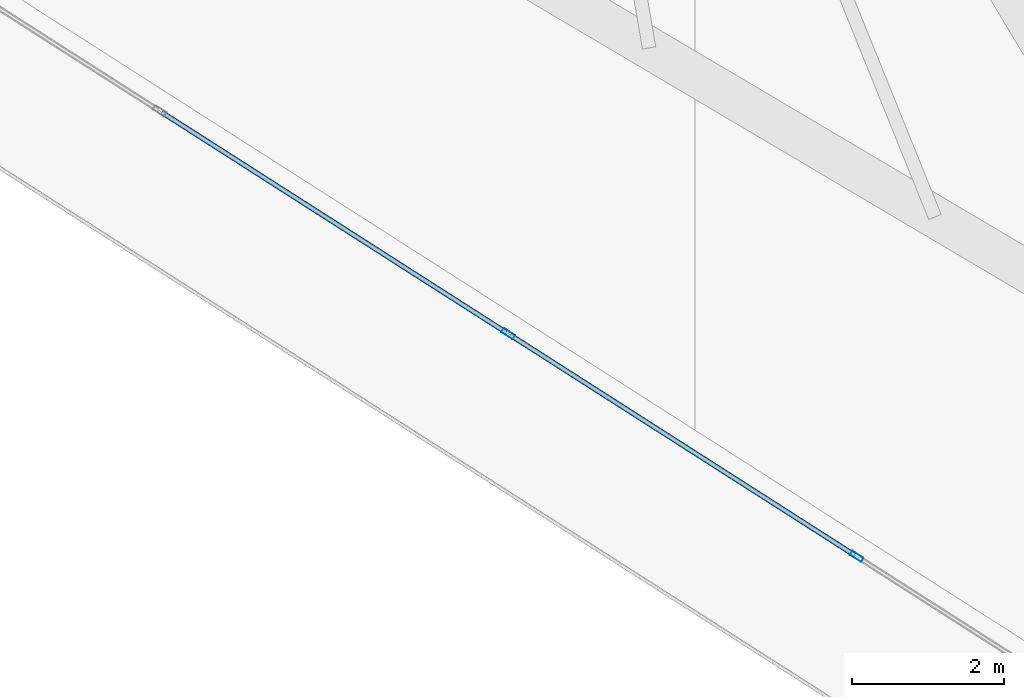
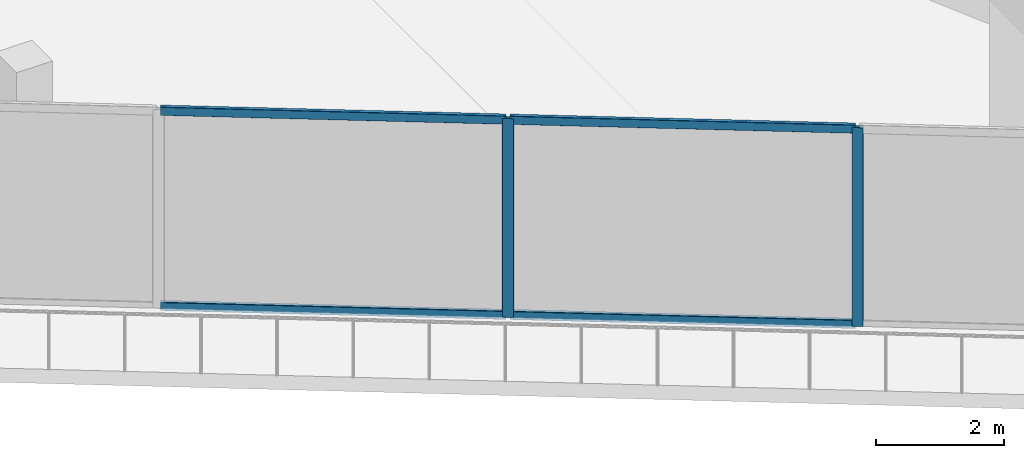
# One storey, part 7 of 38: 6 members, 1 element without a shape of its own.
"""IFC4 building model written with IfcOpenShell, lengths in metres."""

from ifc_helpers import new_model, si_unit, direction, frame, origin, origin_2d, place, context, subcontext, project, spatial, hollow_rectangle, extrude, material, layer, layer_set, material_profile, profile_set, type_object, element, aggregate, save


model = new_model("IFC4")

# Units and contexts
model_context = context("Model", 3, precision=1e-05, world=origin(), true_north=direction((0.0, 1.0)))
body_context = subcontext(model_context, "Body", "Model", "MODEL_VIEW")
ifc_project = project(units=[si_unit("LENGTHUNIT", "METRE"), si_unit("AREAUNIT", "SQUARE_METRE"), si_unit("VOLUMEUNIT", "CUBIC_METRE"), si_unit("PLANEANGLEUNIT", "RADIAN"), si_unit("MASSUNIT", "GRAM", prefix="KILO")], contexts=[model_context])

# Site, building, storey
site_placement = place(None, origin())
site = spatial("IfcSite", under=ifc_project, at=site_placement, CompositionType="ELEMENT")
building_placement = place(site_placement, origin())
building = spatial("IfcBuilding", under=site, at=building_placement, Name="Qorvath Tower", CompositionType="ELEMENT")
storey_placement = place(building_placement, frame((0.0, 0.0, 134.10009765625)))
storey = spatial("IfcBuildingStorey", under=building, at=storey_placement, Name="L30", CompositionType="ELEMENT", Elevation=134.10009765625)

# Curtain wall, members
ifc_material_1 = material(Name="Anodised aluminium and triple low-E glass", Category="aluminium")
ifc_layer = layer(ifc_material_1, 0.179931640625)
ifc_layer_set = layer_set([ifc_layer], Name="CW-SYS-3")
curtain_wall_type = type_object("IfcCurtainWallType", Name="CW-SYS-3", PredefinedType="NOTDEFINED", material=ifc_layer_set)
curtain_wall_placement = place(storey_placement, origin())
curtain_wall = element("IfcCurtainWall", 1, at=curtain_wall_placement, inside=storey, type_object=curtain_wall_type, Name="Curtain Wall CW-3 CW-T-L30-2.1", PredefinedType="NOTDEFINED")
ifc_material_2 = material(Name="Anodised aluminium 6063-T6", Category="aluminium")
ifc_material_profile_1 = material_profile(ifc_material_2, hollow_rectangle(XDim=0.06494140625, YDim=0.179931640625, WallThickness=0.00341796875, InnerFilletRadius=0.00341796875, OuterFilletRadius=0.007080078125, at=origin_2d()), Name="CWM 180x65")
ifc_profile_set_1 = profile_set([ifc_material_profile_1], Name="Anodised aluminium 6063-T6")
member_type_1 = type_object("IfcMemberType", Name="CWM-180", PredefinedType="MULLION", material=ifc_profile_set_1)
member_1_placement = place(storey_placement, frame((-25.12109375, -24.333740234375, 0.0), z_axis=(0.0, 0.0, 1.0), x_axis=(0.538534399095, 0.842603525385, 0.0)))
member_1 = element("IfcMember", 2, at=member_1_placement, type_object=member_type_1, Name="CW-3 mullion 8", PredefinedType="MULLION", context=body_context, shape_type="SweptSolid", body=[
    extrude(hollow_rectangle(XDim=0.06494140625, YDim=0.179931640625, WallThickness=0.00341796875, InnerFilletRadius=0.00341796875, OuterFilletRadius=0.007080078125, at=origin_2d()), origin(), (0.0, 0.0, 1.0), 3.77978515625),
])
member_2_placement = place(storey_placement, frame((-20.52587890625, -27.270751953125, 0.0), z_axis=(0.0, 0.0, 1.0), x_axis=(0.538534399095, 0.842603525385, 0.0)))
member_2 = element("IfcMember", 3, at=member_2_placement, type_object=member_type_1, Name="CW-3 mullion 9", PredefinedType="MULLION", context=body_context, shape_type="SweptSolid", body=[
    extrude(hollow_rectangle(XDim=0.06494140625, YDim=0.179931640625, WallThickness=0.00341796875, InnerFilletRadius=0.00341796875, OuterFilletRadius=0.007080078125, at=origin_2d()), origin(), (0.0, 0.0, 1.0), 3.77978515625),
])
ifc_material_3 = material(Name="Anodised aluminium 6063-T6", Category="aluminium")
ifc_material_profile_2 = material_profile(ifc_material_3, hollow_rectangle(XDim=0.06494140625, YDim=0.159912109375, WallThickness=0.00341796875, InnerFilletRadius=0.00341796875, OuterFilletRadius=0.007080078125, at=origin_2d()), Name="CWT 160x65")
ifc_profile_set_2 = profile_set([ifc_material_profile_2], Name="Anodised aluminium 6063-T6")
member_type_2 = type_object("IfcMemberType", Name="CWT-160", PredefinedType="USERDEFINED", material=ifc_profile_set_2)
member_3_placement = place(storey_placement, frame((-29.688720703125, -21.41455078125, 0.032470703125), z_axis=(0.842602030071, -0.538536738691, 0.0), x_axis=(0.538536738691, 0.842602030071, 0.0)))
member_3 = element("IfcMember", 4, at=member_3_placement, type_object=member_type_2, Name="CW-3 transom 7.1", ObjectType="TRANSOM", PredefinedType="USERDEFINED", context=body_context, shape_type="SweptSolid", body=[
    extrude(hollow_rectangle(XDim=0.06494140625, YDim=0.159912109375, WallThickness=0.00341796875, InnerFilletRadius=0.00341796875, OuterFilletRadius=0.007080078125, at=origin_2d()), origin(), (0.0, 0.0, 1.0), 5.388427734375),
])
member_4_placement = place(storey_placement, frame((-29.688720703125, -21.41455078125, 3.747314453125), z_axis=(0.842602030071, -0.538536738691, 0.0), x_axis=(0.538536738691, 0.842602030071, 0.0)))
member_4 = element("IfcMember", 5, at=member_4_placement, type_object=member_type_2, Name="CW-3 transom 7.2", ObjectType="TRANSOM", PredefinedType="USERDEFINED", context=body_context, shape_type="SweptSolid", body=[
    extrude(hollow_rectangle(XDim=0.06494140625, YDim=0.159912109375, WallThickness=0.00341796875, InnerFilletRadius=0.00341796875, OuterFilletRadius=0.007080078125, at=origin_2d()), origin(), (0.0, 0.0, 1.0), 5.388427734375),
])
member_5_placement = place(storey_placement, frame((-25.093505859375, -24.351318359375, 0.032470703125), z_axis=(0.842602030071, -0.538536738691, 0.0), x_axis=(0.538536738691, 0.842602030071, 0.0)))
member_5 = element("IfcMember", 6, at=member_5_placement, type_object=member_type_2, Name="CW-3 transom 8.1", ObjectType="TRANSOM", PredefinedType="USERDEFINED", context=body_context, shape_type="SweptSolid", body=[
    extrude(hollow_rectangle(XDim=0.06494140625, YDim=0.159912109375, WallThickness=0.00341796875, InnerFilletRadius=0.00341796875, OuterFilletRadius=0.007080078125, at=origin_2d()), origin(), (0.0, 0.0, 1.0), 5.388427734375),
])
member_6_placement = place(storey_placement, frame((-25.093505859375, -24.351318359375, 3.747314453125), z_axis=(0.842602030071, -0.538536738691, 0.0), x_axis=(0.538536738691, 0.842602030071, 0.0)))
member_6 = element("IfcMember", 7, at=member_6_placement, type_object=member_type_2, Name="CW-3 transom 8.2", ObjectType="TRANSOM", PredefinedType="USERDEFINED", context=body_context, shape_type="SweptSolid", body=[
    extrude(hollow_rectangle(XDim=0.06494140625, YDim=0.159912109375, WallThickness=0.00341796875, InnerFilletRadius=0.00341796875, OuterFilletRadius=0.007080078125, at=origin_2d()), origin(), (0.0, 0.0, 1.0), 5.388427734375),
])
aggregate(curtain_wall, [member_1, member_2, member_3, member_4, member_5, member_6])

save(model, "model.ifc")
